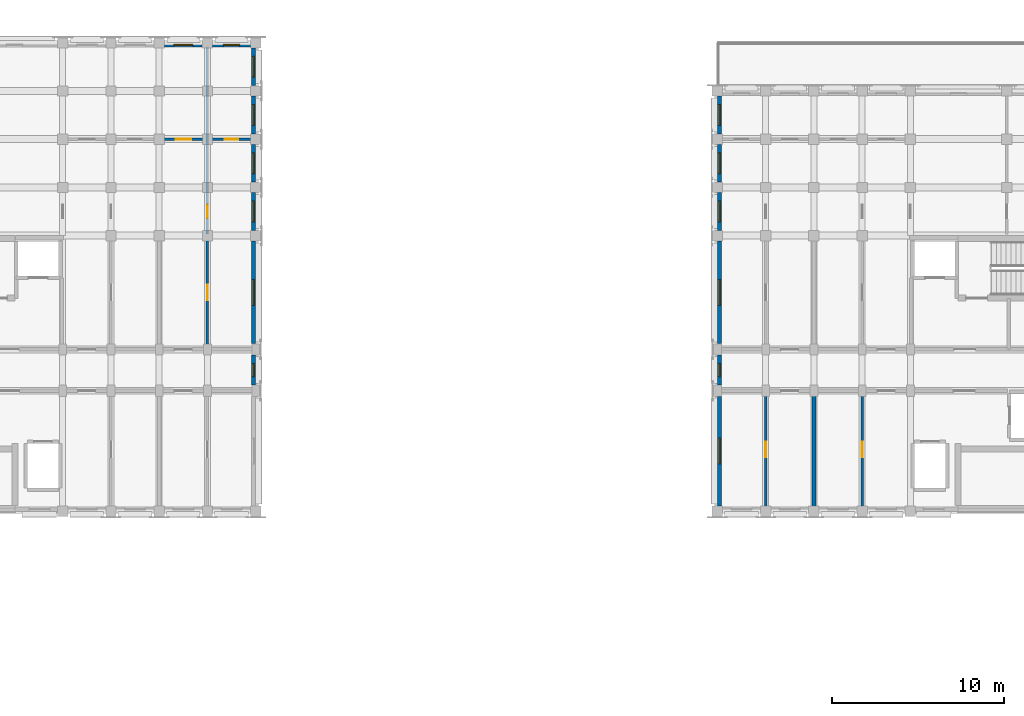
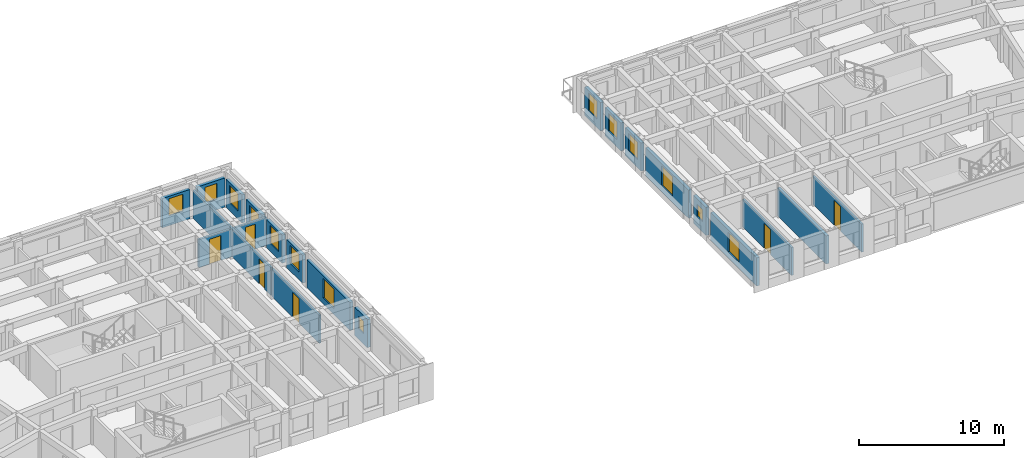
# One storey, part 28 of 53: 21 walls, 14 windows, 6 doors, 20 openings.
"""IFC4 building model written with IfcOpenShell, lengths in metres."""

from ifc_helpers import new_model, si_unit, direction, frame, frame_2d, origin, place, context, subcontext, project, spatial, rectangle, extrude, material, layer, layer_set, type_object, element, fill, save


model = new_model("IFC4")

# Units and contexts
model_context = context("Model", 3, precision=1e-05, world=origin(), true_north=direction((0.0, 1.0)))
body_context = subcontext(model_context, "Body", "Model", "MODEL_VIEW")
ifc_project = project(units=[si_unit("LENGTHUNIT", "METRE"), si_unit("AREAUNIT", "SQUARE_METRE"), si_unit("VOLUMEUNIT", "CUBIC_METRE"), si_unit("PLANEANGLEUNIT", "RADIAN"), si_unit("MASSUNIT", "GRAM", prefix="KILO")], contexts=[model_context])

# Site, building, storey
site_placement = place(None, origin())
site = spatial("IfcSite", under=ifc_project, at=site_placement, CompositionType="ELEMENT")
building_placement = place(site_placement, origin())
building = spatial("IfcBuilding", under=site, at=building_placement, Name="Kiranvali Square Residences", CompositionType="ELEMENT")
storey_placement = place(building_placement, frame((0.0, 0.0, 30.75)))
storey = spatial("IfcBuildingStorey", under=building, at=storey_placement, Name="L09", CompositionType="ELEMENT", Elevation=30.75)

# Wall
ifc_material_1 = material(Name="Autoclaved aerated concrete blockwork masonry", Category="masonry")
ifc_layer_1 = layer(ifc_material_1, 0.219970703125)
ifc_layer_set_1 = layer_set([ifc_layer_1], Name="Autoclaved aerated concrete blockwork masonry")
wall_type_1 = type_object("IfcWallType", Name="WL-DEM-220", PredefinedType="STANDARD", material=ifc_layer_set_1)
wall_1_placement = place(storey_placement, frame((103.0, 106.800048828125, 0.0), z_axis=(0.0, 0.0, 1.0), x_axis=(0.0, 1.0, 0.0)))
element("IfcWall", 1, at=wall_1_placement, inside=storey, type_object=wall_type_1, Name="L09 architectural wall WL-L09-B-A1TI-2", PredefinedType="STANDARD", context=body_context, shape_type="SweptSolid", body=[
    extrude(rectangle(XDim=6.75, YDim=0.219970703125, at=frame_2d((3.375, 0.0))), origin(), (0.0, 0.0, 1.0), 2.3720703125),
])

# Wall, opening, window
ifc_material_2 = material(Name="Breathable lime-rendered clay brick masonry", Category="masonry")
ifc_layer_2 = layer(ifc_material_2, 0.25)
ifc_layer_set_2 = layer_set([ifc_layer_2], Name="Breathable lime-rendered clay brick masonry")
wall_type_2 = type_object("IfcWallType", Name="WL-EXT-250", PredefinedType="STANDARD", material=ifc_layer_set_2)
wall_2_placement = place(storey_placement, frame((65.303466796875, 133.675048828125, 0.0), z_axis=(0.0, 0.0, 1.0), x_axis=(1.0, 0.0, 0.0)))
wall_2 = element("IfcWall", 2, at=wall_2_placement, inside=storey, type_object=wall_type_2, Name="L09 exterior wall A-L09-A1O-4", PredefinedType="STANDARD", context=body_context, shape_type="SweptSolid", body=[
    extrude(rectangle(XDim=2.193115234375, YDim=0.25, at=frame_2d((1.0966796875, 0.0))), origin(), (0.0, 0.0, 1.0), 2.471923828125),
])
opening_1_placement = place(wall_2_placement, frame((0.54638671875, 0.0, 0.822021484375)))
opening_1 = element("IfcOpeningElement", 3, at=opening_1_placement, cuts=wall_2, Name="Opening W-15", PredefinedType="OPENING", context=body_context, shape_type="SweptSolid", body=[
    extrude(rectangle(XDim=1.10009765625, YDim=1.449951171875, at=frame_2d((0.550048828125, 0.72509765625))), frame((0.0, 0.135009765625, 0.0), z_axis=(0.0, -1.0, 0.0), x_axis=(1.0, 0.0, 0.0)), (0.0, 0.0, 1.0), 0.27001953125),
])
ifc_material_3 = material(Name="Solar-control low-e double glazing", Category="glass")
window_type_1 = type_object("IfcWindowType", Name="WIN-RES-1100x1450", PartitioningType="SINGLE_PANEL", PredefinedType="WINDOW", material=ifc_material_3)
window_1_placement = place(opening_1_placement, origin())
window_1 = element("IfcWindow", 4, at=window_1_placement, inside=storey, type_object=window_type_1, Name="L09 recessed window A-L09-A1O-4", OverallHeight=1.449951171875, OverallWidth=1.10009765625, PartitioningType="SINGLE_PANEL", PredefinedType="WINDOW", context=body_context, shape_type="SweptSolid", body=[
    extrude(rectangle(XDim=1.10009765625, YDim=1.449951171875, at=frame_2d((0.550048828125, 0.72509765625))), frame((0.0, 0.030029296875, 0.0), z_axis=(0.0, -1.0, 0.0), x_axis=(1.0, 0.0, 0.0)), (0.0, 0.0, 1.0), 0.06005859375),
])
fill(opening_1, window_1)

wall_3_placement = place(storey_placement, frame((68.103515625, 133.675048828125, 0.0), z_axis=(0.0, 0.0, 1.0), x_axis=(1.0, 0.0, 0.0)))
wall_3 = element("IfcWall", 5, at=wall_3_placement, inside=storey, type_object=wall_type_2, Name="L09 exterior wall A-L09-A1O-5", PredefinedType="STANDARD", context=body_context, shape_type="SweptSolid", body=[
    extrude(rectangle(XDim=2.19287109375, YDim=0.25, at=frame_2d((1.096435546875, 0.0))), origin(), (0.0, 0.0, 1.0), 2.471923828125),
])
opening_2_placement = place(wall_3_placement, frame((0.62158203125, 0.0, 0.8798828125)))
opening_2 = element("IfcOpeningElement", 6, at=opening_2_placement, cuts=wall_3, Name="Opening W-16", PredefinedType="OPENING", context=body_context, shape_type="SweptSolid", body=[
    extrude(rectangle(XDim=0.949951171875, YDim=1.35009765625, at=frame_2d((0.47509765625, 0.675048828125))), frame((0.0, 0.135009765625, 0.0), z_axis=(0.0, -1.0, 0.0), x_axis=(1.0, 0.0, 0.0)), (0.0, 0.0, 1.0), 0.27001953125),
])
window_type_2 = type_object("IfcWindowType", Name="WIN-RES-950x1350", PartitioningType="SINGLE_PANEL", PredefinedType="WINDOW", material=ifc_material_3)
window_2_placement = place(opening_2_placement, origin())
window_2 = element("IfcWindow", 7, at=window_2_placement, inside=storey, type_object=window_type_2, Name="L09 recessed window A-L09-A1O-5", OverallHeight=1.35009765625, OverallWidth=0.949951171875, PartitioningType="SINGLE_PANEL", PredefinedType="WINDOW", context=body_context, shape_type="SweptSolid", body=[
    extrude(rectangle(XDim=0.949951171875, YDim=1.35009765625, at=frame_2d((0.47509765625, 0.675048828125))), frame((0.0, 0.030029296875, 0.0), z_axis=(0.0, -1.0, 0.0), x_axis=(1.0, 0.0, 0.0)), (0.0, 0.0, 1.0), 0.06005859375),
])
fill(opening_2, window_2)

wall_4_placement = place(storey_placement, frame((70.47509765625, 113.928466796875, 0.0), z_axis=(0.0, 0.0, 1.0), x_axis=(0.0, 1.0, 0.0)))
wall_4 = element("IfcWall", 8, at=wall_4_placement, inside=storey, type_object=wall_type_2, Name="L09 exterior wall A-L09-A1END-1", PredefinedType="STANDARD", context=body_context, shape_type="SweptSolid", body=[
    extrude(rectangle(XDim=1.742919921875, YDim=0.25, at=frame_2d((0.87158203125, 0.0))), origin(), (0.0, 0.0, 1.0), 2.3720703125),
])
opening_3_placement = place(wall_4_placement, frame((0.49658203125, 0.0, 0.8798828125)))
opening_3 = element("IfcOpeningElement", 9, at=opening_3_placement, cuts=wall_4, Name="Opening W-07", PredefinedType="OPENING", context=body_context, shape_type="SweptSolid", body=[
    extrude(rectangle(XDim=0.75, YDim=1.050048828125, at=frame_2d((0.375, 0.52490234375))), frame((0.0, 0.135009765625, 0.0), z_axis=(0.0, -1.0, 0.0), x_axis=(1.0, 0.0, 0.0)), (0.0, 0.0, 1.0), 0.27001953125),
])
window_type_3 = type_object("IfcWindowType", Name="WIN-WET-750x1050", PartitioningType="SINGLE_PANEL", PredefinedType="WINDOW", material=ifc_material_3)
window_3_placement = place(opening_3_placement, origin())
window_3 = element("IfcWindow", 10, at=window_3_placement, inside=storey, type_object=window_type_3, Name="L09 recessed window A-L09-A1END-1", OverallHeight=1.050048828125, OverallWidth=0.75, PartitioningType="SINGLE_PANEL", PredefinedType="WINDOW", context=body_context, shape_type="SweptSolid", body=[
    extrude(rectangle(XDim=0.75, YDim=1.050048828125, at=frame_2d((0.375, 0.52490234375))), frame((0.0, 0.030029296875, 0.0), z_axis=(0.0, -1.0, 0.0), x_axis=(1.0, 0.0, 0.0)), (0.0, 0.0, 1.0), 0.06005859375),
])
fill(opening_3, window_3)

wall_5_placement = place(storey_placement, frame((70.47509765625, 116.32861328125, 0.0), z_axis=(0.0, 0.0, 1.0), x_axis=(0.0, 1.0, 0.0)))
wall_5 = element("IfcWall", 11, at=wall_5_placement, inside=storey, type_object=wall_type_2, Name="L09 exterior wall A-L09-A1END-2", PredefinedType="STANDARD", context=body_context, shape_type="SweptSolid", body=[
    extrude(rectangle(XDim=5.9677734375, YDim=0.25, at=frame_2d((2.98388671875, 0.0))), origin(), (0.0, 0.0, 1.0), 2.3720703125),
])
opening_4_placement = place(wall_5_placement, frame((2.221435546875, 0.0, 0.52197265625)))
opening_4 = element("IfcOpeningElement", 12, at=opening_4_placement, cuts=wall_5, Name="Opening W-05", PredefinedType="OPENING", context=body_context, shape_type="SweptSolid", body=[
    extrude(rectangle(XDim=1.5, YDim=1.64990234375, at=frame_2d((0.75, 0.824951171875))), frame((0.0, 0.135009765625, 0.0), z_axis=(0.0, -1.0, 0.0), x_axis=(1.0, 0.0, 0.0)), (0.0, 0.0, 1.0), 0.27001953125),
])
window_type_4 = type_object("IfcWindowType", Name="WIN-RES-1500x1650", PartitioningType="DOUBLE_PANEL_VERTICAL", PredefinedType="WINDOW", material=ifc_material_3)
window_4_placement = place(opening_4_placement, origin())
window_4 = element("IfcWindow", 13, at=window_4_placement, inside=storey, type_object=window_type_4, Name="L09 recessed window A-L09-A1END-2", OverallHeight=1.64990234375, OverallWidth=1.5, PartitioningType="DOUBLE_PANEL_VERTICAL", PredefinedType="WINDOW", context=body_context, shape_type="SweptSolid", body=[
    extrude(rectangle(XDim=1.5, YDim=1.64990234375, at=frame_2d((0.75, 0.824951171875))), frame((0.0, 0.030029296875, 0.0), z_axis=(0.0, -1.0, 0.0), x_axis=(1.0, 0.0, 0.0)), (0.0, 0.0, 1.0), 0.06005859375),
])
fill(opening_4, window_4)

wall_6_placement = place(storey_placement, frame((70.47509765625, 122.903564453125, 0.0), z_axis=(0.0, 0.0, 1.0), x_axis=(0.0, 1.0, 0.0)))
wall_6 = element("IfcWall", 14, at=wall_6_placement, inside=storey, type_object=wall_type_2, Name="L09 exterior wall A-L09-A1END-3", PredefinedType="STANDARD", context=body_context, shape_type="SweptSolid", body=[
    extrude(rectangle(XDim=2.19287109375, YDim=0.25, at=frame_2d((1.096435546875, 0.0))), origin(), (0.0, 0.0, 1.0), 2.3720703125),
])
opening_5_placement = place(wall_6_placement, frame((0.49658203125, 0.0, 0.672119140625)))
opening_5 = element("IfcOpeningElement", 15, at=opening_5_placement, cuts=wall_6, Name="Opening W-06", PredefinedType="OPENING", context=body_context, shape_type="SweptSolid", body=[
    extrude(rectangle(XDim=1.199951171875, YDim=1.5, at=frame_2d((0.60009765625, 0.75))), frame((0.0, 0.135009765625, 0.0), z_axis=(0.0, -1.0, 0.0), x_axis=(1.0, 0.0, 0.0)), (0.0, 0.0, 1.0), 0.27001953125),
])
window_type_5 = type_object("IfcWindowType", Name="WIN-RES-1200x1500", PartitioningType="SINGLE_PANEL", PredefinedType="WINDOW", material=ifc_material_3)
window_5_placement = place(opening_5_placement, origin())
window_5 = element("IfcWindow", 16, at=window_5_placement, inside=storey, type_object=window_type_5, Name="L09 recessed window A-L09-A1END-3", OverallHeight=1.5, OverallWidth=1.199951171875, PartitioningType="SINGLE_PANEL", PredefinedType="WINDOW", context=body_context, shape_type="SweptSolid", body=[
    extrude(rectangle(XDim=1.199951171875, YDim=1.5, at=frame_2d((0.60009765625, 0.75))), frame((0.0, 0.030029296875, 0.0), z_axis=(0.0, -1.0, 0.0), x_axis=(1.0, 0.0, 0.0)), (0.0, 0.0, 1.0), 0.06005859375),
])
fill(opening_5, window_5)

wall_7_placement = place(storey_placement, frame((70.47509765625, 125.70361328125, 0.0), z_axis=(0.0, 0.0, 1.0), x_axis=(0.0, 1.0, 0.0)))
wall_7 = element("IfcWall", 17, at=wall_7_placement, inside=storey, type_object=wall_type_2, Name="L09 exterior wall A-L09-A1END-4", PredefinedType="STANDARD", context=body_context, shape_type="SweptSolid", body=[
    extrude(rectangle(XDim=2.19287109375, YDim=0.25, at=frame_2d((1.096435546875, 0.0))), origin(), (0.0, 0.0, 1.0), 2.3720703125),
])
opening_6_placement = place(wall_7_placement, frame((0.49658203125, 0.0, 0.672119140625)))
opening_6 = element("IfcOpeningElement", 18, at=opening_6_placement, cuts=wall_7, Name="Opening W-06", PredefinedType="OPENING", context=body_context, shape_type="SweptSolid", body=[
    extrude(rectangle(XDim=1.199951171875, YDim=1.5, at=frame_2d((0.60009765625, 0.75))), frame((0.0, 0.135009765625, 0.0), z_axis=(0.0, -1.0, 0.0), x_axis=(1.0, 0.0, 0.0)), (0.0, 0.0, 1.0), 0.27001953125),
])
window_6_placement = place(opening_6_placement, origin())
window_6 = element("IfcWindow", 19, at=window_6_placement, inside=storey, type_object=window_type_5, Name="L09 recessed window A-L09-A1END-4", OverallHeight=1.5, OverallWidth=1.199951171875, PartitioningType="SINGLE_PANEL", PredefinedType="WINDOW", context=body_context, shape_type="SweptSolid", body=[
    extrude(rectangle(XDim=1.199951171875, YDim=1.5, at=frame_2d((0.60009765625, 0.75))), frame((0.0, 0.030029296875, 0.0), z_axis=(0.0, -1.0, 0.0), x_axis=(1.0, 0.0, 0.0)), (0.0, 0.0, 1.0), 0.06005859375),
])
fill(opening_6, window_6)

wall_8_placement = place(storey_placement, frame((70.47509765625, 128.50341796875, 0.0), z_axis=(0.0, 0.0, 1.0), x_axis=(0.0, 1.0, 0.0)))
wall_8 = element("IfcWall", 20, at=wall_8_placement, inside=storey, type_object=wall_type_2, Name="L09 exterior wall A-L09-A1END-5", PredefinedType="STANDARD", context=body_context, shape_type="SweptSolid", body=[
    extrude(rectangle(XDim=2.193115234375, YDim=0.25, at=frame_2d((1.0966796875, 0.0))), origin(), (0.0, 0.0, 1.0), 2.3720703125),
])
opening_7_placement = place(wall_8_placement, frame((0.49658203125, 0.0, 0.672119140625)))
opening_7 = element("IfcOpeningElement", 21, at=opening_7_placement, cuts=wall_8, Name="Opening W-06", PredefinedType="OPENING", context=body_context, shape_type="SweptSolid", body=[
    extrude(rectangle(XDim=1.199951171875, YDim=1.5, at=frame_2d((0.60009765625, 0.75))), frame((0.0, 0.135009765625, 0.0), z_axis=(0.0, -1.0, 0.0), x_axis=(1.0, 0.0, 0.0)), (0.0, 0.0, 1.0), 0.27001953125),
])
window_7_placement = place(opening_7_placement, origin())
window_7 = element("IfcWindow", 22, at=window_7_placement, inside=storey, type_object=window_type_5, Name="L09 recessed window A-L09-A1END-5", OverallHeight=1.5, OverallWidth=1.199951171875, PartitioningType="SINGLE_PANEL", PredefinedType="WINDOW", context=body_context, shape_type="SweptSolid", body=[
    extrude(rectangle(XDim=1.199951171875, YDim=1.5, at=frame_2d((0.60009765625, 0.75))), frame((0.0, 0.030029296875, 0.0), z_axis=(0.0, -1.0, 0.0), x_axis=(1.0, 0.0, 0.0)), (0.0, 0.0, 1.0), 0.06005859375),
])
fill(opening_7, window_7)

wall_9_placement = place(storey_placement, frame((70.47509765625, 131.303466796875, 0.0), z_axis=(0.0, 0.0, 1.0), x_axis=(0.0, 1.0, 0.0)))
wall_9 = element("IfcWall", 23, at=wall_9_placement, inside=storey, type_object=wall_type_2, Name="L09 exterior wall A-L09-A1END-6", PredefinedType="STANDARD", context=body_context, shape_type="SweptSolid", body=[
    extrude(rectangle(XDim=2.193115234375, YDim=0.25, at=frame_2d((1.0966796875, 0.0))), origin(), (0.0, 0.0, 1.0), 2.3720703125),
])
opening_8_placement = place(wall_9_placement, frame((0.49658203125, 0.0, 0.672119140625)))
opening_8 = element("IfcOpeningElement", 24, at=opening_8_placement, cuts=wall_9, Name="Opening W-06", PredefinedType="OPENING", context=body_context, shape_type="SweptSolid", body=[
    extrude(rectangle(XDim=1.199951171875, YDim=1.5, at=frame_2d((0.60009765625, 0.75))), frame((0.0, 0.135009765625, 0.0), z_axis=(0.0, -1.0, 0.0), x_axis=(1.0, 0.0, 0.0)), (0.0, 0.0, 1.0), 0.27001953125),
])
window_8_placement = place(opening_8_placement, origin())
window_8 = element("IfcWindow", 25, at=window_8_placement, inside=storey, type_object=window_type_5, Name="L09 recessed window A-L09-A1END-6", OverallHeight=1.5, OverallWidth=1.199951171875, PartitioningType="SINGLE_PANEL", PredefinedType="WINDOW", context=body_context, shape_type="SweptSolid", body=[
    extrude(rectangle(XDim=1.199951171875, YDim=1.5, at=frame_2d((0.60009765625, 0.75))), frame((0.0, 0.030029296875, 0.0), z_axis=(0.0, -1.0, 0.0), x_axis=(1.0, 0.0, 0.0)), (0.0, 0.0, 1.0), 0.06005859375),
])
fill(opening_8, window_8)

wall_10_placement = place(storey_placement, frame((97.52490234375, 106.903564453125, 0.0), z_axis=(0.0, 0.0, 1.0), x_axis=(0.0, 1.0, 0.0)))
wall_10 = element("IfcWall", 26, at=wall_10_placement, inside=storey, type_object=wall_type_2, Name="L09 exterior wall B-L09-A1END-0", PredefinedType="STANDARD", context=body_context, shape_type="SweptSolid", body=[
    extrude(rectangle(XDim=6.367919921875, YDim=0.25, at=frame_2d((3.18408203125, 0.0))), origin(), (0.0, 0.0, 1.0), 2.3720703125),
])
opening_9_placement = place(wall_10_placement, frame((2.446533203125, 0.0, 0.52197265625)))
opening_9 = element("IfcOpeningElement", 27, at=opening_9_placement, cuts=wall_10, Name="Opening W-05", PredefinedType="OPENING", context=body_context, shape_type="SweptSolid", body=[
    extrude(rectangle(XDim=1.5, YDim=1.64990234375, at=frame_2d((0.75, 0.824951171875))), frame((0.0, 0.135009765625, 0.0), z_axis=(0.0, -1.0, 0.0), x_axis=(1.0, 0.0, 0.0)), (0.0, 0.0, 1.0), 0.27001953125),
])
window_9_placement = place(opening_9_placement, origin())
window_9 = element("IfcWindow", 28, at=window_9_placement, inside=storey, type_object=window_type_4, Name="L09 recessed window B-L09-A1END-0", OverallHeight=1.64990234375, OverallWidth=1.5, PartitioningType="DOUBLE_PANEL_VERTICAL", PredefinedType="WINDOW", context=body_context, shape_type="SweptSolid", body=[
    extrude(rectangle(XDim=1.5, YDim=1.64990234375, at=frame_2d((0.75, 0.824951171875))), frame((0.0, 0.030029296875, 0.0), z_axis=(0.0, -1.0, 0.0), x_axis=(1.0, 0.0, 0.0)), (0.0, 0.0, 1.0), 0.06005859375),
])
fill(opening_9, window_9)

wall_11_placement = place(storey_placement, frame((97.52490234375, 113.928466796875, 0.0), z_axis=(0.0, 0.0, 1.0), x_axis=(0.0, 1.0, 0.0)))
wall_11 = element("IfcWall", 29, at=wall_11_placement, inside=storey, type_object=wall_type_2, Name="L09 exterior wall B-L09-A1END-1", PredefinedType="STANDARD", context=body_context, shape_type="SweptSolid", body=[
    extrude(rectangle(XDim=1.742919921875, YDim=0.25, at=frame_2d((0.87158203125, 0.0))), origin(), (0.0, 0.0, 1.0), 2.3720703125),
])
opening_10_placement = place(wall_11_placement, frame((0.49658203125, 0.0, 0.8798828125)))
opening_10 = element("IfcOpeningElement", 30, at=opening_10_placement, cuts=wall_11, Name="Opening W-07", PredefinedType="OPENING", context=body_context, shape_type="SweptSolid", body=[
    extrude(rectangle(XDim=0.75, YDim=1.050048828125, at=frame_2d((0.375, 0.52490234375))), frame((0.0, 0.135009765625, 0.0), z_axis=(0.0, -1.0, 0.0), x_axis=(1.0, 0.0, 0.0)), (0.0, 0.0, 1.0), 0.27001953125),
])
window_10_placement = place(opening_10_placement, origin())
window_10 = element("IfcWindow", 31, at=window_10_placement, inside=storey, type_object=window_type_3, Name="L09 recessed window B-L09-A1END-1", OverallHeight=1.050048828125, OverallWidth=0.75, PartitioningType="SINGLE_PANEL", PredefinedType="WINDOW", context=body_context, shape_type="SweptSolid", body=[
    extrude(rectangle(XDim=0.75, YDim=1.050048828125, at=frame_2d((0.375, 0.52490234375))), frame((0.0, 0.030029296875, 0.0), z_axis=(0.0, -1.0, 0.0), x_axis=(1.0, 0.0, 0.0)), (0.0, 0.0, 1.0), 0.06005859375),
])
fill(opening_10, window_10)

wall_12_placement = place(storey_placement, frame((97.52490234375, 116.32861328125, 0.0), z_axis=(0.0, 0.0, 1.0), x_axis=(0.0, 1.0, 0.0)))
wall_12 = element("IfcWall", 32, at=wall_12_placement, inside=storey, type_object=wall_type_2, Name="L09 exterior wall B-L09-A1END-2", PredefinedType="STANDARD", context=body_context, shape_type="SweptSolid", body=[
    extrude(rectangle(XDim=5.9677734375, YDim=0.25, at=frame_2d((2.98388671875, 0.0))), origin(), (0.0, 0.0, 1.0), 2.3720703125),
])
opening_11_placement = place(wall_12_placement, frame((2.221435546875, 0.0, 0.52197265625)))
opening_11 = element("IfcOpeningElement", 33, at=opening_11_placement, cuts=wall_12, Name="Opening W-05", PredefinedType="OPENING", context=body_context, shape_type="SweptSolid", body=[
    extrude(rectangle(XDim=1.5, YDim=1.64990234375, at=frame_2d((0.75, 0.824951171875))), frame((0.0, 0.135009765625, 0.0), z_axis=(0.0, -1.0, 0.0), x_axis=(1.0, 0.0, 0.0)), (0.0, 0.0, 1.0), 0.27001953125),
])
window_11_placement = place(opening_11_placement, origin())
window_11 = element("IfcWindow", 34, at=window_11_placement, inside=storey, type_object=window_type_4, Name="L09 recessed window B-L09-A1END-2", OverallHeight=1.64990234375, OverallWidth=1.5, PartitioningType="DOUBLE_PANEL_VERTICAL", PredefinedType="WINDOW", context=body_context, shape_type="SweptSolid", body=[
    extrude(rectangle(XDim=1.5, YDim=1.64990234375, at=frame_2d((0.75, 0.824951171875))), frame((0.0, 0.030029296875, 0.0), z_axis=(0.0, -1.0, 0.0), x_axis=(1.0, 0.0, 0.0)), (0.0, 0.0, 1.0), 0.06005859375),
])
fill(opening_11, window_11)

wall_13_placement = place(storey_placement, frame((97.52490234375, 122.903564453125, 0.0), z_axis=(0.0, 0.0, 1.0), x_axis=(0.0, 1.0, 0.0)))
wall_13 = element("IfcWall", 35, at=wall_13_placement, inside=storey, type_object=wall_type_2, Name="L09 exterior wall B-L09-A1END-3", PredefinedType="STANDARD", context=body_context, shape_type="SweptSolid", body=[
    extrude(rectangle(XDim=2.19287109375, YDim=0.25, at=frame_2d((1.096435546875, 0.0))), origin(), (0.0, 0.0, 1.0), 2.3720703125),
])
opening_12_placement = place(wall_13_placement, frame((0.49658203125, 0.0, 0.672119140625)))
opening_12 = element("IfcOpeningElement", 36, at=opening_12_placement, cuts=wall_13, Name="Opening W-06", PredefinedType="OPENING", context=body_context, shape_type="SweptSolid", body=[
    extrude(rectangle(XDim=1.199951171875, YDim=1.5, at=frame_2d((0.60009765625, 0.75))), frame((0.0, 0.135009765625, 0.0), z_axis=(0.0, -1.0, 0.0), x_axis=(1.0, 0.0, 0.0)), (0.0, 0.0, 1.0), 0.27001953125),
])
window_12_placement = place(opening_12_placement, origin())
window_12 = element("IfcWindow", 37, at=window_12_placement, inside=storey, type_object=window_type_5, Name="L09 recessed window B-L09-A1END-3", OverallHeight=1.5, OverallWidth=1.199951171875, PartitioningType="SINGLE_PANEL", PredefinedType="WINDOW", context=body_context, shape_type="SweptSolid", body=[
    extrude(rectangle(XDim=1.199951171875, YDim=1.5, at=frame_2d((0.60009765625, 0.75))), frame((0.0, 0.030029296875, 0.0), z_axis=(0.0, -1.0, 0.0), x_axis=(1.0, 0.0, 0.0)), (0.0, 0.0, 1.0), 0.06005859375),
])
fill(opening_12, window_12)

wall_14_placement = place(storey_placement, frame((97.52490234375, 125.70361328125, 0.0), z_axis=(0.0, 0.0, 1.0), x_axis=(0.0, 1.0, 0.0)))
wall_14 = element("IfcWall", 38, at=wall_14_placement, inside=storey, type_object=wall_type_2, Name="L09 exterior wall B-L09-A1END-4", PredefinedType="STANDARD", context=body_context, shape_type="SweptSolid", body=[
    extrude(rectangle(XDim=2.19287109375, YDim=0.25, at=frame_2d((1.096435546875, 0.0))), origin(), (0.0, 0.0, 1.0), 2.3720703125),
])
opening_13_placement = place(wall_14_placement, frame((0.49658203125, 0.0, 0.672119140625)))
opening_13 = element("IfcOpeningElement", 39, at=opening_13_placement, cuts=wall_14, Name="Opening W-06", PredefinedType="OPENING", context=body_context, shape_type="SweptSolid", body=[
    extrude(rectangle(XDim=1.199951171875, YDim=1.5, at=frame_2d((0.60009765625, 0.75))), frame((0.0, 0.135009765625, 0.0), z_axis=(0.0, -1.0, 0.0), x_axis=(1.0, 0.0, 0.0)), (0.0, 0.0, 1.0), 0.27001953125),
])
window_13_placement = place(opening_13_placement, origin())
window_13 = element("IfcWindow", 40, at=window_13_placement, inside=storey, type_object=window_type_5, Name="L09 recessed window B-L09-A1END-4", OverallHeight=1.5, OverallWidth=1.199951171875, PartitioningType="SINGLE_PANEL", PredefinedType="WINDOW", context=body_context, shape_type="SweptSolid", body=[
    extrude(rectangle(XDim=1.199951171875, YDim=1.5, at=frame_2d((0.60009765625, 0.75))), frame((0.0, 0.030029296875, 0.0), z_axis=(0.0, -1.0, 0.0), x_axis=(1.0, 0.0, 0.0)), (0.0, 0.0, 1.0), 0.06005859375),
])
fill(opening_13, window_13)

wall_15_placement = place(storey_placement, frame((97.52490234375, 128.50341796875, 0.0), z_axis=(0.0, 0.0, 1.0), x_axis=(0.0, 1.0, 0.0)))
wall_15 = element("IfcWall", 41, at=wall_15_placement, inside=storey, type_object=wall_type_2, Name="L09 exterior wall B-L09-A1END-5", PredefinedType="STANDARD", context=body_context, shape_type="SweptSolid", body=[
    extrude(rectangle(XDim=2.193115234375, YDim=0.25, at=frame_2d((1.0966796875, 0.0))), origin(), (0.0, 0.0, 1.0), 2.412109375),
])
opening_14_placement = place(wall_15_placement, frame((0.49658203125, 0.0, 0.7119140625)))
opening_14 = element("IfcOpeningElement", 42, at=opening_14_placement, cuts=wall_15, Name="Opening W-06", PredefinedType="OPENING", context=body_context, shape_type="SweptSolid", body=[
    extrude(rectangle(XDim=1.199951171875, YDim=1.5, at=frame_2d((0.60009765625, 0.75))), frame((0.0, 0.135009765625, 0.0), z_axis=(0.0, -1.0, 0.0), x_axis=(1.0, 0.0, 0.0)), (0.0, 0.0, 1.0), 0.27001953125),
])
window_14_placement = place(opening_14_placement, origin())
window_14 = element("IfcWindow", 43, at=window_14_placement, inside=storey, type_object=window_type_5, Name="L09 recessed window B-L09-A1END-5", OverallHeight=1.5, OverallWidth=1.199951171875, PartitioningType="SINGLE_PANEL", PredefinedType="WINDOW", context=body_context, shape_type="SweptSolid", body=[
    extrude(rectangle(XDim=1.199951171875, YDim=1.5, at=frame_2d((0.60009765625, 0.75))), frame((0.0, 0.030029296875, 0.0), z_axis=(0.0, -1.0, 0.0), x_axis=(1.0, 0.0, 0.0)), (0.0, 0.0, 1.0), 0.06005859375),
])
fill(opening_14, window_14)

# Wall, opening, door
ifc_material_4 = material(Name="Acoustic gypsum board drylined partition", Category="gypsum")
ifc_layer_3 = layer(ifc_material_4, 0.14990234375)
ifc_layer_set_3 = layer_set([ifc_layer_3], Name="Acoustic gypsum board drylined partition")
wall_type_3 = type_object("IfcWallType", Name="WL-PRT-150", PredefinedType="PARTITIONING", material=ifc_layer_set_3)
wall_16_placement = place(storey_placement, frame((67.800048828125, 116.050048828125, 0.0), z_axis=(0.0, 0.0, 1.0), x_axis=(0.0, 1.0, 0.0)))
wall_16 = element("IfcWall", 44, at=wall_16_placement, inside=storey, type_object=wall_type_3, Name="L09 architectural wall WL-L09-A-A1TO1-3", PredefinedType="PARTITIONING", context=body_context, shape_type="SweptSolid", body=[
    extrude(rectangle(XDim=6.530029296875, YDim=0.14990234375, at=frame_2d((3.26513671875, 0.0))), origin(), (0.0, 0.0, 1.0), 2.3720703125),
])
opening_15_placement = place(wall_16_placement, frame((2.81494140625, 0.0, 0.0)))
opening_15 = element("IfcOpeningElement", 45, at=opening_15_placement, cuts=wall_16, Name="Opening ID-1", PredefinedType="OPENING", context=body_context, shape_type="SweptSolid", body=[
    extrude(rectangle(XDim=0.89990234375, YDim=2.10009765625, at=frame_2d((0.449951171875, 1.050048828125))), frame((0.0, 0.0849609375, 0.0), z_axis=(0.0, -1.0, 0.0), x_axis=(1.0, 0.0, 0.0)), (0.0, 0.0, 1.0), 0.169921875),
])
ifc_material_5 = material(Name="Solid seasoned teak hardwood joinery", Category="wood")
door_type_1 = type_object("IfcDoorType", Name="DR-INT-900", OperationType="NOTDEFINED", PredefinedType="DOOR", material=ifc_material_5)
door_1_placement = place(opening_15_placement, origin())
door_1 = element("IfcDoor", 46, at=door_1_placement, inside=storey, type_object=door_type_1, Name="L09 door DR-L09-0593 (DR-INT-900)", OperationType="SINGLE_SWING_LEFT", OverallHeight=2.10009765625, OverallWidth=0.89990234375, PredefinedType="DOOR", context=body_context, shape_type="SweptSolid", body=[
    extrude(rectangle(XDim=0.89990234375, YDim=2.10009765625, at=frame_2d((0.449951171875, 1.050048828125))), frame((0.0, 0.02490234375, 0.0), z_axis=(0.0, -1.0, 0.0), x_axis=(1.0, 0.0, 0.0)), (0.0, 0.0, 1.0), 0.050048828125),
])
fill(opening_15, door_1)

wall_17_placement = place(storey_placement, frame((67.800048828125, 122.699951171875, 0.0), z_axis=(0.0, 0.0, 1.0), x_axis=(0.0, 1.0, 0.0)))
wall_17 = element("IfcWall", 47, at=wall_17_placement, inside=storey, type_object=wall_type_3, Name="L09 architectural wall WL-L09-A-A1TO2-3", PredefinedType="PARTITIONING", context=body_context, shape_type="SweptSolid", body=[
    extrude(rectangle(XDim=10.820068359375, YDim=0.14990234375, at=frame_2d((5.41015625, 0.0))), origin(), (0.0, 0.0, 1.0), 2.3720703125),
])
opening_16_placement = place(wall_17_placement, frame((0.8994140625, 0.0, 0.0)))
opening_16 = element("IfcOpeningElement", 48, at=opening_16_placement, cuts=wall_17, Name="Opening ID-WET", PredefinedType="OPENING", context=body_context, shape_type="SweptSolid", body=[
    extrude(rectangle(XDim=0.800048828125, YDim=2.10009765625, at=frame_2d((0.39990234375, 1.050048828125))), frame((0.0, 0.0849609375, 0.0), z_axis=(0.0, -1.0, 0.0), x_axis=(1.0, 0.0, 0.0)), (0.0, 0.0, 1.0), 0.169921875),
])
door_type_2 = type_object("IfcDoorType", Name="DR-WET-800", OperationType="NOTDEFINED", PredefinedType="DOOR", material=ifc_material_5)
door_2_placement = place(opening_16_placement, frame((0.800048828125, 0.0, 0.0), z_axis=(0.0, 0.0, 1.0), x_axis=(-1.0, 0.0, 0.0)))
door_2 = element("IfcDoor", 49, at=door_2_placement, inside=storey, type_object=door_type_2, Name="L09 door DR-L09-0594 (DR-WET-800)", OperationType="SINGLE_SWING_RIGHT", OverallHeight=2.10009765625, OverallWidth=0.800048828125, PredefinedType="DOOR", context=body_context, shape_type="SweptSolid", body=[
    extrude(rectangle(XDim=0.800048828125, YDim=2.10009765625, at=frame_2d((0.39990234375, 1.050048828125))), frame((0.0, 0.02490234375, 0.0), z_axis=(0.0, -1.0, 0.0), x_axis=(1.0, 0.0, 0.0)), (0.0, 0.0, 1.0), 0.050048828125),
])
fill(opening_16, door_2)

wall_18_placement = place(storey_placement, frame((105.800048828125, 106.800048828125, 0.0), z_axis=(0.0, 0.0, 1.0), x_axis=(0.0, 1.0, 0.0)))
wall_18 = element("IfcWall", 50, at=wall_18_placement, inside=storey, type_object=wall_type_3, Name="L09 architectural wall WL-L09-B-A1TI-1", PredefinedType="PARTITIONING", context=body_context, shape_type="SweptSolid", body=[
    extrude(rectangle(XDim=6.75, YDim=0.14990234375, at=frame_2d((3.375, 0.0))), origin(), (0.0, 0.0, 1.0), 2.3720703125),
])
opening_17_placement = place(wall_18_placement, frame((2.925048828125, 0.0, 0.0)))
opening_17 = element("IfcOpeningElement", 51, at=opening_17_placement, cuts=wall_18, Name="Opening ID-1", PredefinedType="OPENING", context=body_context, shape_type="SweptSolid", body=[
    extrude(rectangle(XDim=0.89990234375, YDim=2.10009765625, at=frame_2d((0.449951171875, 1.050048828125))), frame((0.0, 0.0849609375, 0.0), z_axis=(0.0, -1.0, 0.0), x_axis=(1.0, 0.0, 0.0)), (0.0, 0.0, 1.0), 0.169921875),
])
door_3_placement = place(opening_17_placement, frame((0.89990234375, 0.0, 0.0), z_axis=(0.0, 0.0, 1.0), x_axis=(-1.0, 0.0, 0.0)))
door_3 = element("IfcDoor", 52, at=door_3_placement, inside=storey, type_object=door_type_1, Name="L09 door DR-L09-1534 (DR-INT-900)", OperationType="SINGLE_SWING_RIGHT", OverallHeight=2.10009765625, OverallWidth=0.89990234375, PredefinedType="DOOR", context=body_context, shape_type="SweptSolid", body=[
    extrude(rectangle(XDim=0.89990234375, YDim=2.10009765625, at=frame_2d((0.449951171875, 1.050048828125))), frame((0.0, 0.02490234375, 0.0), z_axis=(0.0, -1.0, 0.0), x_axis=(1.0, 0.0, 0.0)), (0.0, 0.0, 1.0), 0.050048828125),
])
fill(opening_17, door_3)

wall_19_placement = place(storey_placement, frame((100.199951171875, 106.800048828125, 0.0), z_axis=(0.0, 0.0, 1.0), x_axis=(0.0, 1.0, 0.0)))
wall_19 = element("IfcWall", 53, at=wall_19_placement, inside=storey, type_object=wall_type_3, Name="L09 architectural wall WL-L09-B-A1TI-3", PredefinedType="PARTITIONING", context=body_context, shape_type="SweptSolid", body=[
    extrude(rectangle(XDim=6.75, YDim=0.14990234375, at=frame_2d((3.375, 0.0))), origin(), (0.0, 0.0, 1.0), 2.3720703125),
])
opening_18_placement = place(wall_19_placement, frame((2.925048828125, 0.0, 0.0)))
opening_18 = element("IfcOpeningElement", 54, at=opening_18_placement, cuts=wall_19, Name="Opening ID-1", PredefinedType="OPENING", context=body_context, shape_type="SweptSolid", body=[
    extrude(rectangle(XDim=0.89990234375, YDim=2.10009765625, at=frame_2d((0.449951171875, 1.050048828125))), frame((0.0, 0.0849609375, 0.0), z_axis=(0.0, -1.0, 0.0), x_axis=(1.0, 0.0, 0.0)), (0.0, 0.0, 1.0), 0.169921875),
])
door_4_placement = place(opening_18_placement, origin())
door_4 = element("IfcDoor", 55, at=door_4_placement, inside=storey, type_object=door_type_1, Name="L09 door DR-L09-1537 (DR-INT-900)", OperationType="SINGLE_SWING_LEFT", OverallHeight=2.10009765625, OverallWidth=0.89990234375, PredefinedType="DOOR", context=body_context, shape_type="SweptSolid", body=[
    extrude(rectangle(XDim=0.89990234375, YDim=2.10009765625, at=frame_2d((0.449951171875, 1.050048828125))), frame((0.0, 0.02490234375, 0.0), z_axis=(0.0, -1.0, 0.0), x_axis=(1.0, 0.0, 0.0)), (0.0, 0.0, 1.0), 0.050048828125),
])
fill(opening_18, door_4)

ifc_layer_4 = layer(ifc_material_1, 0.159912109375)
ifc_layer_set_4 = layer_set([ifc_layer_4], Name="Autoclaved aerated concrete blockwork masonry")
wall_type_4 = type_object("IfcWallType", Name="WL-WET-160", PredefinedType="PLUMBINGWALL", material=ifc_layer_set_4)
wall_20_placement = place(storey_placement, frame((65.080078125, 128.199951171875, 0.0), z_axis=(0.0, 0.0, 1.0), x_axis=(1.0, 0.0, 0.0)))
wall_20 = element("IfcWall", 56, at=wall_20_placement, inside=storey, type_object=wall_type_4, Name="L09 architectural wall WL-L09-A-A1SP-2", PredefinedType="PLUMBINGWALL", context=body_context, shape_type="SweptSolid", body=[
    extrude(rectangle(XDim=2.639892578125, YDim=0.159912109375, at=frame_2d((1.31982421875, 0.0))), origin(), (0.0, 0.0, 1.0), 2.3720703125),
])
opening_19_placement = place(wall_20_placement, frame((0.8701171875, 0.0, 0.0)))
opening_19 = element("IfcOpeningElement", 57, at=opening_19_placement, cuts=wall_20, Name="Opening ID-1", PredefinedType="OPENING", context=body_context, shape_type="SweptSolid", body=[
    extrude(rectangle(XDim=0.89990234375, YDim=2.10009765625, at=frame_2d((0.449951171875, 1.050048828125))), frame((0.0, 0.08984375, 0.0), z_axis=(0.0, -1.0, 0.0), x_axis=(1.0, 0.0, 0.0)), (0.0, 0.0, 1.0), 0.179931640625),
])
door_5_placement = place(opening_19_placement, origin())
door_5 = element("IfcDoor", 58, at=door_5_placement, inside=storey, type_object=door_type_1, Name="L09 door DR-L09-0585 (DR-INT-900)", OperationType="SINGLE_SWING_LEFT", OverallHeight=2.10009765625, OverallWidth=0.89990234375, PredefinedType="DOOR", context=body_context, shape_type="SweptSolid", body=[
    extrude(rectangle(XDim=0.89990234375, YDim=2.10009765625, at=frame_2d((0.449951171875, 1.050048828125))), frame((0.0, 0.02490234375, 0.0), z_axis=(0.0, -1.0, 0.0), x_axis=(1.0, 0.0, 0.0)), (0.0, 0.0, 1.0), 0.050048828125),
])
fill(opening_19, door_5)

wall_21_placement = place(storey_placement, frame((67.8798828125, 128.199951171875, 0.0), z_axis=(0.0, 0.0, 1.0), x_axis=(1.0, 0.0, 0.0)))
wall_21 = element("IfcWall", 59, at=wall_21_placement, inside=storey, type_object=wall_type_4, Name="L09 architectural wall WL-L09-A-A1SP-3", PredefinedType="PLUMBINGWALL", context=body_context, shape_type="SweptSolid", body=[
    extrude(rectangle(XDim=2.64013671875, YDim=0.159912109375, at=frame_2d((1.320068359375, 0.0))), origin(), (0.0, 0.0, 1.0), 2.3720703125),
])
opening_20_placement = place(wall_21_placement, frame((0.919921875, 0.0, 0.0)))
opening_20 = element("IfcOpeningElement", 60, at=opening_20_placement, cuts=wall_21, Name="Opening ID-WET", PredefinedType="OPENING", context=body_context, shape_type="SweptSolid", body=[
    extrude(rectangle(XDim=0.800048828125, YDim=2.10009765625, at=frame_2d((0.39990234375, 1.050048828125))), frame((0.0, 0.08984375, 0.0), z_axis=(0.0, -1.0, 0.0), x_axis=(1.0, 0.0, 0.0)), (0.0, 0.0, 1.0), 0.179931640625),
])
door_6_placement = place(opening_20_placement, origin())
door_6 = element("IfcDoor", 61, at=door_6_placement, inside=storey, type_object=door_type_2, Name="L09 door DR-L09-0587 (DR-WET-800)", OperationType="SINGLE_SWING_LEFT", OverallHeight=2.10009765625, OverallWidth=0.800048828125, PredefinedType="DOOR", context=body_context, shape_type="SweptSolid", body=[
    extrude(rectangle(XDim=0.800048828125, YDim=2.10009765625, at=frame_2d((0.39990234375, 1.050048828125))), frame((0.0, 0.02490234375, 0.0), z_axis=(0.0, -1.0, 0.0), x_axis=(1.0, 0.0, 0.0)), (0.0, 0.0, 1.0), 0.050048828125),
])
fill(opening_20, door_6)

save(model, "model.ifc")
